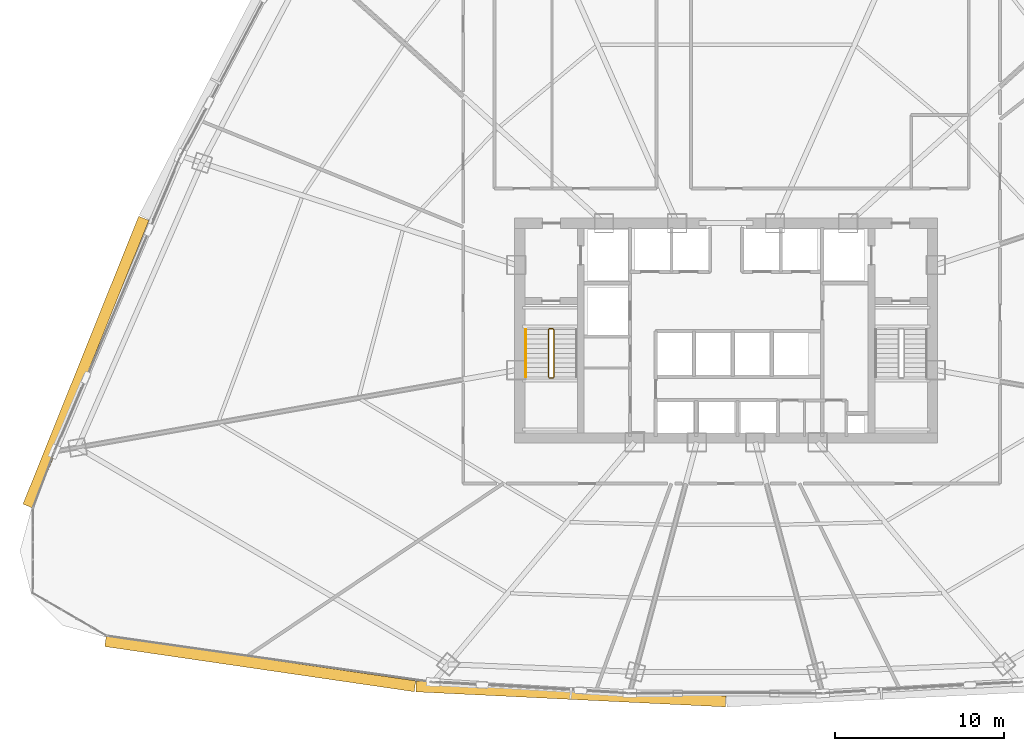
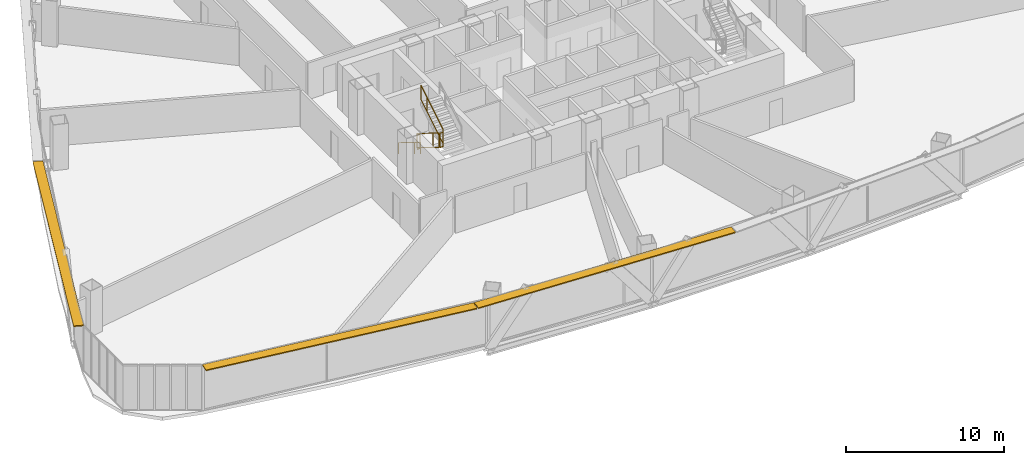
# One storey, part 38 of 41: 5 railings, 3 shading devices.
"""IFC4 building model written with IfcOpenShell, lengths in metres."""

from ifc_helpers import new_model, si_unit, direction, frame, origin, origin_2d, place, context, subcontext, project, spatial, rectangle, extrude, source, transform, mapped, material, layer, layer_set, type_object, element, save


model = new_model("IFC4")

# Units and contexts
model_context = context("Model", 3, precision=1e-05, world=origin(), true_north=direction((0.0, 1.0)))
body_context = subcontext(model_context, "Body", "Model", "MODEL_VIEW")
ifc_project = project(units=[si_unit("LENGTHUNIT", "METRE"), si_unit("AREAUNIT", "SQUARE_METRE"), si_unit("VOLUMEUNIT", "CUBIC_METRE"), si_unit("PLANEANGLEUNIT", "RADIAN"), si_unit("MASSUNIT", "GRAM", prefix="KILO"), si_unit("THERMODYNAMICTEMPERATUREUNIT", "KELVIN"), si_unit("POWERUNIT", "WATT")], contexts=[model_context])

# Site, building, storey
site_placement = place(None, origin())
site = spatial("IfcSite", under=ifc_project, at=site_placement, CompositionType="ELEMENT")
building_placement = place(site_placement, origin())
building = spatial("IfcBuilding", under=site, at=building_placement, Name="Yunzhuo Pagoda Commons", CompositionType="ELEMENT")
storey_placement = place(building_placement, frame((0.0, 0.0, 111.580078125)))
storey = spatial("IfcBuildingStorey", under=building, at=storey_placement, Name="L28", CompositionType="ELEMENT", Elevation=111.580078125)

# Railings
ifc_material = material(Name="Anodized aluminium 6063-T6", Category="aluminium")
railing_type_1 = type_object("IfcRailingType", Name="GR-ST1 Stair Well Guardrail 1150", PredefinedType="GUARDRAIL", material=ifc_material)
railing_1_placement = place(storey_placement, frame((37.5, 33.89990234375, 0.172607421875)))
element("IfcRailing", 1, at=railing_1_placement, inside=storey, type_object=railing_type_1, Name="L28 ST1 stair guard 1", PredefinedType="GUARDRAIL", context=body_context, shape_type="SweptSolid", body=[
    extrude(rectangle(XDim=0.048095703125, YDim=0.048095703125, at=origin_2d()), frame((0.0, 0.0, 1.1259765625), z_axis=(0.0, -0.851069175582, 0.525053576669), x_axis=(1.0, 0.0, 0.0)), (0.0, 0.0, 1.0), 3.289794921875),
    extrude(rectangle(XDim=0.048095703125, YDim=0.048095703125, at=origin_2d()), frame((0.0, 0.0, 0.02392578125), z_axis=(0.0, -0.851069175582, 0.525053576669), x_axis=(1.0, 0.0, 0.0)), (0.0, 0.0, 1.0), 3.289794921875),
    extrude(rectangle(XDim=0.0419921875, YDim=0.0419921875, at=origin_2d()), origin(), (0.0, 0.0, 1.0), 1.101806640625),
    extrude(rectangle(XDim=0.0419921875, YDim=0.0419921875, at=origin_2d()), frame((0.0, -2.04248046875, 1.260009765625)), (0.0, 0.0, 1.0), 1.101806640625),
    extrude(rectangle(XDim=0.0419921875, YDim=0.0419921875, at=origin_2d()), frame((0.0, -2.7998046875, 1.727294921875)), (0.0, 0.0, 1.0), 1.101806640625),
])
railing_2_placement = place(storey_placement, frame((37.550048828125, 31.050048828125, 1.89990234375)))
element("IfcRailing", 2, at=railing_2_placement, inside=storey, type_object=railing_type_1, Name="L28 ST1 stair guard 2", PredefinedType="GUARDRAIL", context=body_context, shape_type="SweptSolid", body=[
    extrude(rectangle(XDim=0.048095703125, YDim=0.048095703125, at=origin_2d()), frame((0.0, 0.0, 1.1259765625), z_axis=(1.0, 0.0, 0.0), x_axis=(0.0, 1.0, 0.0)), (0.0, 0.0, 1.0), 0.199951171875),
    extrude(rectangle(XDim=0.048095703125, YDim=0.048095703125, at=origin_2d()), frame((0.0, 0.0, 0.02392578125), z_axis=(1.0, 0.0, 0.0), x_axis=(0.0, 1.0, 0.0)), (0.0, 0.0, 1.0), 0.199951171875),
    extrude(rectangle(XDim=0.0419921875, YDim=0.0419921875, at=origin_2d()), origin(), (0.0, 0.0, 1.0), 1.101806640625),
    extrude(rectangle(XDim=0.0419921875, YDim=0.0419921875, at=origin_2d()), frame((0.199951171875, 0.0, 0.0)), (0.0, 0.0, 1.0), 1.101806640625),
])
railing_3_placement = place(storey_placement, frame((37.800048828125, 31.10009765625, 2.07275390625)))
element("IfcRailing", 3, at=railing_3_placement, inside=storey, type_object=railing_type_1, Name="L28 ST1 stair guard 3", PredefinedType="GUARDRAIL", context=body_context, shape_type="SweptSolid", body=[
    extrude(rectangle(XDim=0.048095703125, YDim=0.048095703125, at=origin_2d()), frame((0.0, 0.0, 1.1259765625), z_axis=(0.0, 0.851102337555, 0.524999820009), x_axis=(-1.0, 0.0, 0.0)), (0.0, 0.0, 1.0), 3.28955078125),
    extrude(rectangle(XDim=0.048095703125, YDim=0.048095703125, at=origin_2d()), frame((0.0, 0.0, 0.02392578125), z_axis=(0.0, 0.851102337555, 0.524999820009), x_axis=(-1.0, 0.0, 0.0)), (0.0, 0.0, 1.0), 3.28955078125),
    extrude(rectangle(XDim=0.0419921875, YDim=0.0419921875, at=origin_2d()), origin(), (0.0, 0.0, 1.0), 1.101806640625),
    extrude(rectangle(XDim=0.0419921875, YDim=0.0419921875, at=origin_2d()), frame((0.0, 2.042724609375, 1.260009765625)), (0.0, 0.0, 1.0), 1.101806640625),
    extrude(rectangle(XDim=0.0419921875, YDim=0.0419921875, at=origin_2d()), frame((0.0, 2.7998046875, 1.72705078125)), (0.0, 0.0, 1.0), 1.101806640625),
])
railing_4_placement = place(storey_placement, frame((37.550048828125, 33.949951171875, 0.0)))
element("IfcRailing", 4, at=railing_4_placement, inside=storey, type_object=railing_type_1, Name="L28 ST1 stair guard 4", PredefinedType="GUARDRAIL", context=body_context, shape_type="SweptSolid", body=[
    extrude(rectangle(XDim=0.048095703125, YDim=0.048095703125, at=origin_2d()), frame((0.0, 0.0, 1.1259765625), z_axis=(1.0, 0.0, 0.0), x_axis=(0.0, 1.0, 0.0)), (0.0, 0.0, 1.0), 0.199951171875),
    extrude(rectangle(XDim=0.048095703125, YDim=0.048095703125, at=origin_2d()), frame((0.0, 0.0, 0.02392578125), z_axis=(1.0, 0.0, 0.0), x_axis=(0.0, 1.0, 0.0)), (0.0, 0.0, 1.0), 0.199951171875),
    extrude(rectangle(XDim=0.0419921875, YDim=0.0419921875, at=origin_2d()), origin(), (0.0, 0.0, 1.0), 1.101806640625),
    extrude(rectangle(XDim=0.0419921875, YDim=0.0419921875, at=origin_2d()), frame((0.199951171875, 0.0, 0.0)), (0.0, 0.0, 1.0), 1.101806640625),
])
railing_type_2 = type_object("IfcRailingType", Name="HR-ST1 Stair Handrail 900", PredefinedType="HANDRAIL", material=ifc_material)
railing_5_placement = place(storey_placement, frame((36.14990234375, 33.89990234375, 0.172607421875)))
element("IfcRailing", 5, at=railing_5_placement, inside=storey, type_object=railing_type_2, Name="L28 ST1 stair handrail 1", PredefinedType="HANDRAIL", context=body_context, shape_type="SweptSolid", body=[
    extrude(rectangle(XDim=0.048095703125, YDim=0.048095703125, at=origin_2d()), frame((0.0, 0.0, 0.8759765625), z_axis=(0.0, -0.851069175582, 0.525053576669), x_axis=(1.0, 0.0, 0.0)), (0.0, 0.0, 1.0), 3.289794921875),
    extrude(rectangle(XDim=0.0419921875, YDim=0.0419921875, at=origin_2d()), origin(), (0.0, 0.0, 1.0), 0.851806640625),
    extrude(rectangle(XDim=0.0419921875, YDim=0.0419921875, at=origin_2d()), frame((0.0, -2.04248046875, 1.260009765625)), (0.0, 0.0, 1.0), 0.851806640625),
    extrude(rectangle(XDim=0.0419921875, YDim=0.0419921875, at=origin_2d()), frame((0.0, -2.7998046875, 1.727294921875)), (0.0, 0.0, 1.0), 0.851806640625),
])

# Shading devices
ifc_layer = layer(ifc_material, 0.080078125)
ifc_layer_set = layer_set([ifc_layer], Name="Anodized aluminium 6063-T6")
shading_device_type = type_object("IfcShadingDeviceType", Name="SH-SUN1 Pagoda Horizontal Sunshade Eave 650", PredefinedType="USERDEFINED", material=ifc_layer_set)
shared_shape_1 = source(origin(), body_context, "Body", "SweptSolid", [
    extrude(rectangle(XDim=18.497314453125, YDim=0.64990234375, at=origin_2d()), origin(), (0.0, 0.0, 1.0), 0.080078125),
])
shading_device_1_placement = place(storey_placement, frame((20.45068359375, 14.14892578125, 3.4599609375), z_axis=(0.0, 0.0, 1.0), x_axis=(0.989510666697, -0.144459823108, 0.0)))
element("IfcShadingDevice", 6, at=shading_device_1_placement, inside=storey, type_object=shading_device_type, Name="L28 horizontal pagoda sunshade eave F1.1", ObjectType="SUNSHADE", PredefinedType="USERDEFINED", context=body_context, shape_type="MappedRepresentation", body=[
    mapped(shared_shape_1, transform((0.0, 0.0, 0.0), scale=1.0)),
])
shared_shape_2 = source(origin(), body_context, "Body", "SweptSolid", [
    extrude(rectangle(XDim=18.32470703125, YDim=0.64990234375, at=origin_2d()), origin(), (0.0, 0.0, 1.0), 0.080078125),
])
shading_device_2_placement = place(storey_placement, frame((38.81689453125, 12.361572265625, 3.4599609375), z_axis=(0.0, 0.0, 1.0), x_axis=(0.998818043775, -0.04860571396, 0.0)))
element("IfcShadingDevice", 7, at=shading_device_2_placement, inside=storey, type_object=shading_device_type, Name="L28 horizontal pagoda sunshade eave F1.2", ObjectType="SUNSHADE", PredefinedType="USERDEFINED", context=body_context, shape_type="MappedRepresentation", body=[
    mapped(shared_shape_2, transform((0.0, 0.0, 0.0), scale=1.0)),
])
shared_shape_3 = source(origin(), body_context, "Body", "SweptSolid", [
    extrude(rectangle(XDim=18.3486328125, YDim=0.64990234375, at=origin_2d()), origin(), (0.0, 0.0, 1.0), 0.080078125),
])
shading_device_3_placement = place(storey_placement, frame((10.138916015625, 31.977294921875, 3.4599609375), z_axis=(0.0, 0.0, 1.0), x_axis=(-0.372987782576, -0.927836253899, 0.0)))
element("IfcShadingDevice", 8, at=shading_device_3_placement, inside=storey, type_object=shading_device_type, Name="L28 horizontal pagoda sunshade eave F3.4", ObjectType="SUNSHADE", PredefinedType="USERDEFINED", context=body_context, shape_type="MappedRepresentation", body=[
    mapped(shared_shape_3, transform((0.0, 0.0, 0.0), scale=1.0)),
])

save(model, "model.ifc")
